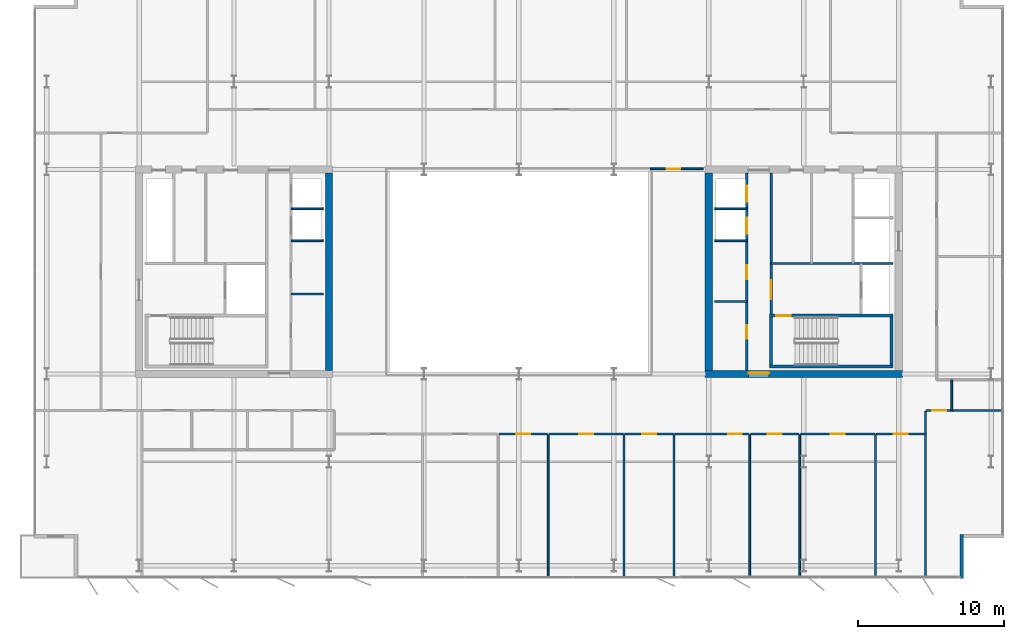
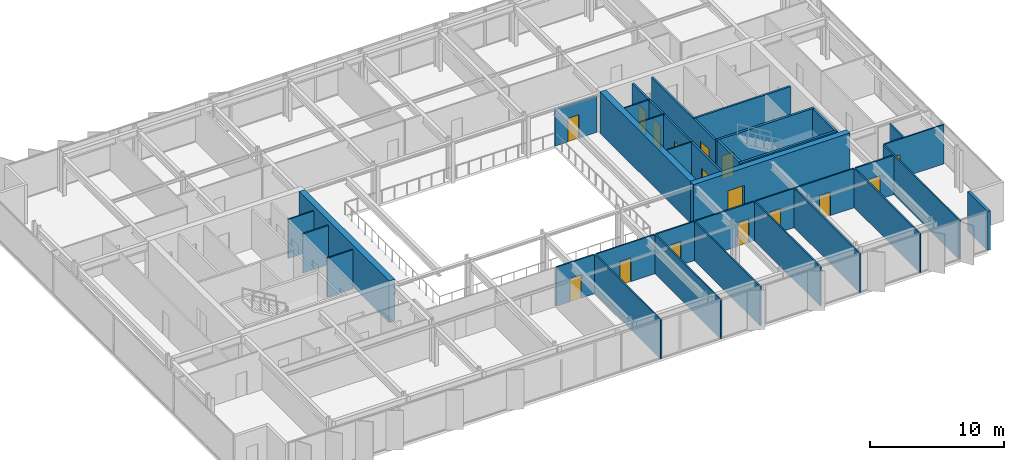
# One storey, part 18 of 24: 34 walls, 16 doors, 16 openings.
"""IFC4 building model written with IfcOpenShell, lengths in metres."""

import ifcopenshell
import ifcopenshell.guid

model = None  # the IFC model being written
_history = None  # IfcOwnerHistory: only IFC2X3 demands one
_inside = {}  # id of a spatial element -> (the spatial element, [elements in it])
_under = {}  # id of a project, library or spatial element -> (it, [spatial elements below it])
_declared = {}  # id of a project -> (the project, [libraries it declares])
_typed = {}  # id of a type object -> (the type object, [elements of that type])
_made_of = {}  # id of a material, layer set ... -> (it, [elements and type objects made of it])


def new_model(schema):
    """Start an empty IFC model of exactly this schema.

    Asked for "IFC4X3", IfcOpenShell would pick the latest addendum, in which some entities
    have other attributes; the version numbers below select the first issue.
    IFC2X3 requires an IfcOwnerHistory on every rooted entity: one is made here for all.
    """
    global model, _history
    if schema == "IFC4X3":
        model = ifcopenshell.file(schema_version=(4, 3, 0, 0))
    else:
        model = ifcopenshell.file(schema=schema)
    _inside.clear()
    _under.clear()
    _declared.clear()
    _typed.clear()
    _made_of.clear()
    _history = None
    if model.schema == "IFC2X3":
        org = make("IfcOrganization", Name="unknown")
        user = make(
            "IfcPersonAndOrganization",
            ThePerson=make("IfcPerson", FamilyName="unknown"),
            TheOrganization=org,
        )
        app = make(
            "IfcApplication",
            ApplicationDeveloper=org,
            Version="unknown",
            ApplicationFullName="unknown",
            ApplicationIdentifier="unknown",
        )
        _history = make(
            "IfcOwnerHistory",
            OwningUser=user,
            OwningApplication=app,
            ChangeAction="ADDED",
            CreationDate=0,
        )
    return model


def make(cls, **values):
    """One entity of the class cls with the attributes given. An attribute that is None is left unset."""
    return model.create_entity(
        cls, **{name: value for name, value in values.items() if value is not None}
    )


def rooted(cls, **values):
    """An entity with a GlobalId (a new one), such as an element, a storey or a relation."""
    return make(cls, GlobalId=ifcopenshell.guid.new(), OwnerHistory=_history, **values)


def si_unit(unit_type, name, prefix=None):
    """IfcSIUnit, for example si_unit("LENGTHUNIT", "METRE", prefix="MILLI")."""
    return make("IfcSIUnit", UnitType=unit_type, Prefix=prefix, Name=name)


def assignment(units):
    """IfcUnitAssignment: the units of a project."""
    return None if units is None else make("IfcUnitAssignment", Units=units)


def point(xyz):
    """IfcCartesianPoint."""
    return None if xyz is None else make("IfcCartesianPoint", Coordinates=xyz)


def direction(xyz):
    """IfcDirection."""
    return None if xyz is None else make("IfcDirection", DirectionRatios=xyz)


def frame(location, z_axis=None, x_axis=None):
    """IfcAxis2Placement3D, a coordinate frame: its origin and axes. An axis left out is left unset."""
    return make(
        "IfcAxis2Placement3D",
        Location=point(location),
        Axis=direction(z_axis),
        RefDirection=direction(x_axis),
    )


def frame_2d(location, x_axis=None):
    """IfcAxis2Placement2D, a coordinate frame in the plane: its origin and x axis."""
    return make(
        "IfcAxis2Placement2D", Location=point(location), RefDirection=direction(x_axis)
    )


def origin():
    """The frame at (0, 0, 0) with its axes left unset."""
    return frame((0.0, 0.0, 0.0))


def place(relative_to, where):
    """IfcLocalPlacement: puts the frame where relative to a parent placement (None: the world)."""
    return make(
        "IfcLocalPlacement", PlacementRelTo=relative_to, RelativePlacement=where
    )


def context(
    kind, dimensions, precision=None, world=None, true_north=None, identifier=None
):
    """IfcGeometricRepresentationContext, for example the 3D "Model" context."""
    return make(
        "IfcGeometricRepresentationContext",
        ContextIdentifier=identifier,
        ContextType=kind,
        CoordinateSpaceDimension=dimensions,
        Precision=precision,
        WorldCoordinateSystem=world,
        TrueNorth=true_north,
    )


def subcontext(parent, identifier, kind, view, scale=None):
    """IfcGeometricRepresentationSubContext, for example "Body" below "Model"."""
    return make(
        "IfcGeometricRepresentationSubContext",
        ContextIdentifier=identifier,
        ContextType=kind,
        ParentContext=parent,
        TargetScale=scale,
        TargetView=view,
    )


def project(units=None, contexts=None):
    """IfcProject with its units and contexts."""
    return rooted(
        "IfcProject",
        Name="project",
        RepresentationContexts=contexts,
        UnitsInContext=assignment(units),
    )


def spatial(cls, under=None, at=None, **own):
    """A site, building, storey or space (cls), placed at a placement, below another one or the project."""
    s = rooted(cls, ObjectPlacement=at, **own)
    if under is not None:
        _under.setdefault(under.id(), (under, []))[1].append(s)
    return s


def profile(cls, at=None, kind="AREA", **sizes):
    """A parametric profile (cls). Its sizes go by their IFC names, for example OverallWidth=200.0."""
    return make(cls, ProfileType=kind, Position=at, **sizes)


def rectangle(**sizes):
    """IfcRectangleProfileDef."""
    return profile("IfcRectangleProfileDef", **sizes)


def extrude(swept, where, along, depth):
    """IfcExtrudedAreaSolid: the profile swept, set in the frame where, extruded along a direction by depth."""
    return make(
        "IfcExtrudedAreaSolid",
        SweptArea=swept,
        Position=where,
        ExtrudedDirection=direction(along),
        Depth=depth,
    )


def shape(context_of_items, identifier, shape_type, items):
    """IfcShapeRepresentation: the items that make up one representation, for example the "Body"."""
    return make(
        "IfcShapeRepresentation",
        ContextOfItems=context_of_items,
        RepresentationIdentifier=identifier,
        RepresentationType=shape_type,
        Items=items,
    )


def material(Name=None, Category=None):
    """IfcMaterial."""
    return make("IfcMaterial", Name=Name, Category=Category)


def layer(
    of_material, thickness, ventilated=None, Name=None, Category=None, Priority=None
):
    """IfcMaterialLayer: one layer of a wall or slab, of a material (None: an air gap)."""
    return make(
        "IfcMaterialLayer",
        Material=of_material,
        LayerThickness=thickness,
        IsVentilated=ventilated,
        Name=Name,
        Category=Category,
        Priority=Priority,
    )


def layer_set(layers, Name=None):
    """IfcMaterialLayerSet."""
    return make("IfcMaterialLayerSet", MaterialLayers=layers, LayerSetName=Name)


def made_of(thing, what):
    """Note that an element or type object is made of a material, layer set ...; save() writes the relation."""
    if what is not None:
        _made_of.setdefault(what.id(), (what, []))[1].append(thing)
    return thing


def type_object(cls, material=None, **own):
    """A type object (cls), such as IfcWallType, which elements share."""
    return made_of(rooted(cls, **own), material)


def element(
    cls,
    number,
    at=None,
    inside=None,
    cuts=None,
    type_object=None,
    material=None,
    context=None,
    identifier="Body",
    shape_type=None,
    held_by="IfcProductDefinitionShape",
    body=None,
    shapes=None,
    **own,
):
    """One element of the class cls, such as IfcWall. Its Tag is "e" and its number.

    at: its placement. inside: the storey or other place that contains it. cuts: it is an
    opening in that element (IfcRelVoidsElement). A single representation is given by context,
    identifier, shape_type and body (its items); several are given by shapes. held_by: the class
    of the entity that holds the representations. save() writes the other relations.
    """
    e = rooted(cls, Tag="e%d" % number, ObjectPlacement=at, **own)
    if body is not None:
        shapes = [shape(context, identifier, shape_type, body)]
    if shapes is not None:
        e.Representation = make(held_by, Representations=shapes)
    if inside is not None:
        _inside.setdefault(inside.id(), (inside, []))[1].append(e)
    if cuts is not None:
        rooted(
            "IfcRelVoidsElement", RelatingBuildingElement=cuts, RelatedOpeningElement=e
        )
    if type_object is not None:
        _typed.setdefault(type_object.id(), (type_object, []))[1].append(e)
    return made_of(e, material)


def fill(opening, filler):
    """IfcRelFillsElement: the door or window that sits in an opening."""
    return rooted(
        "IfcRelFillsElement",
        RelatingOpeningElement=opening,
        RelatedBuildingElement=filler,
    )


def aggregate(whole, parts):
    """IfcRelAggregates: a whole, such as a stair, and the parts it consists of."""
    return rooted("IfcRelAggregates", RelatingObject=whole, RelatedObjects=parts)


def save(model, path):
    """Write the relations noted so far, then the file.

    IfcRelAggregates (storeys below a building ...), IfcRelContainedInSpatialStructure (elements
    in a storey), IfcRelDefinesByType, IfcRelAssociatesMaterial and IfcRelDeclares: one each for
    every whole, place, type object, material and project.
    """
    for whole, parts in _under.values():
        aggregate(whole, parts)
    for where, things in _inside.values():
        rooted(
            "IfcRelContainedInSpatialStructure",
            RelatedElements=things,
            RelatingStructure=where,
        )
    for kind, things in _typed.values():
        rooted("IfcRelDefinesByType", RelatedObjects=things, RelatingType=kind)
    for what, things in _made_of.values():
        rooted("IfcRelAssociatesMaterial", RelatedObjects=things, RelatingMaterial=what)
    for by, libraries in _declared.values():
        rooted("IfcRelDeclares", RelatingContext=by, RelatedDefinitions=libraries)
    model.write(path)


model = new_model("IFC4")

# Units and contexts
model_context = context("Model", 3, precision=1e-05, world=origin(), true_north=direction((0.0, 1.0)))
body_context = subcontext(model_context, "Body", "Model", "MODEL_VIEW")
ifc_project = project(units=[si_unit("LENGTHUNIT", "METRE"), si_unit("AREAUNIT", "SQUARE_METRE"), si_unit("VOLUMEUNIT", "CUBIC_METRE"), si_unit("PLANEANGLEUNIT", "RADIAN"), si_unit("MASSUNIT", "GRAM", prefix="KILO")], contexts=[model_context])

# Site, building, storey
site_placement = place(None, origin())
site = spatial("IfcSite", under=ifc_project, at=site_placement, CompositionType="ELEMENT")
building_placement = place(site_placement, origin())
building = spatial("IfcBuilding", under=site, at=building_placement, Name="Putna Gate Headquarters", CompositionType="ELEMENT")
storey_placement = place(building_placement, frame((0.0, 0.0, 236.60009765625)))
storey = spatial("IfcBuildingStorey", under=building, at=storey_placement, Name="L59", CompositionType="ELEMENT", Elevation=236.60009765625)

# Wall
ifc_material_1 = material(Name="Concrete C50/60", Category="concrete")
ifc_layer_1 = layer(ifc_material_1, 0.5)
ifc_layer_set_1 = layer_set([ifc_layer_1], Name="Concrete C50/60")
wall_type_1 = type_object("IfcWallType", Name="WALL-CORE-500", PredefinedType="SHEAR", material=ifc_layer_set_1)
wall_1_placement = place(storey_placement, frame((26.0, 19.25, 0.0), z_axis=(0.0, 0.0, 1.0), x_axis=(0.0, 1.0, 0.0)))
element("IfcWall", 1, at=wall_1_placement, inside=storey, type_object=wall_type_1, Name="L59 WC Split Core Shear Wall E", PredefinedType="SHEAR", context=body_context, shape_type="SweptSolid", body=[
    extrude(rectangle(XDim=13.5, YDim=0.5, at=frame_2d((6.75, 0.0))), origin(), (0.0, 0.0, 1.0), 3.7998046875),
])

# Wall, opening, door
wall_2_placement = place(storey_placement, frame((51.75, 19.0, 0.0), z_axis=(0.0, 0.0, 1.0), x_axis=(1.0, 0.0, 0.0)))
wall_2 = element("IfcWall", 2, at=wall_2_placement, inside=storey, type_object=wall_type_1, Name="L59 EC Split Core Shear Wall S", PredefinedType="SHEAR", context=body_context, shape_type="SweptSolid", body=[
    extrude(rectangle(XDim=13.5, YDim=0.5, at=frame_2d((6.75, 0.0))), origin(), (0.0, 0.0, 1.0), 3.7998046875),
])
opening_1_placement = place(wall_2_placement, frame((2.969970703125, 0.0, 0.0)))
opening_1 = element("IfcOpeningElement", 3, at=opening_1_placement, cuts=wall_2, Name="Opening FDD-140", PredefinedType="OPENING", context=body_context, shape_type="SweptSolid", body=[
    extrude(rectangle(XDim=1.39990234375, YDim=2.199951171875, at=frame_2d((0.699951171875, 1.10009765625))), frame((0.0, 0.260009765625, 0.0), z_axis=(0.0, -1.0, 0.0), x_axis=(1.0, 0.0, 0.0)), (0.0, 0.0, 1.0), 0.52001953125),
])
ifc_material_2 = material(Name="Double steel fire door", Category="steel")
door_type_1 = type_object("IfcDoorType", Name="DOOR-FIRE-DBL-1400", OperationType="DOUBLE_DOOR_SINGLE_SWING", PredefinedType="DOOR", material=ifc_material_2)
door_1_placement = place(opening_1_placement, origin())
door_1 = element("IfcDoor", 4, at=door_1_placement, inside=storey, type_object=door_type_1, Name="L59 East Lift Lobby South Door", OperationType="DOUBLE_DOOR_SINGLE_SWING", OverallHeight=2.199951171875, OverallWidth=1.39990234375, PredefinedType="DOOR", context=body_context, shape_type="SweptSolid", body=[
    extrude(rectangle(XDim=1.39990234375, YDim=2.199951171875, at=frame_2d((0.699951171875, 1.10009765625))), frame((0.0, 0.0751953125, 0.0), z_axis=(0.0, -1.0, 0.0), x_axis=(1.0, 0.0, 0.0)), (0.0, 0.0, 1.0), 0.050048828125),
])
fill(opening_1, door_1)

# Walls
wall_3_placement = place(storey_placement, frame((52.0, 19.25, 0.0), z_axis=(0.0, 0.0, 1.0), x_axis=(0.0, 1.0, 0.0)))
element("IfcWall", 5, at=wall_3_placement, inside=storey, type_object=wall_type_1, Name="L59 EC Split Core Shear Wall W", PredefinedType="SHEAR", context=body_context, shape_type="SweptSolid", body=[
    extrude(rectangle(XDim=13.5, YDim=0.5, at=frame_2d((6.75, 0.0))), origin(), (0.0, 0.0, 1.0), 3.7998046875),
])
ifc_material_3 = material(Name="Precast concrete C40/50", Category="concrete")
ifc_layer_2 = layer(ifc_material_3, 0.239990234375)
ifc_layer_set_2 = layer_set([ifc_layer_2], Name="Precast concrete C40/50")
wall_type_2 = type_object("IfcWallType", Name="WALL-EXT-TERR-240", PredefinedType="STANDARD", material=ifc_layer_set_2)
wall_4_placement = place(storey_placement, frame((69.320068359375, 8.0, 0.0), z_axis=(0.0, 0.0, 1.0), x_axis=(0.0, -1.0, 0.0)))
element("IfcWall", 6, at=wall_4_placement, inside=storey, type_object=wall_type_2, Name="L59 Corner Notch Return Wall SE-V", PredefinedType="STANDARD", context=body_context, shape_type="SweptSolid", body=[
    extrude(rectangle(XDim=3.0, YDim=0.239990234375, at=frame_2d((1.5, 0.0))), origin(), (0.0, 0.0, 1.0), 3.579833984375),
])

# Wall, opening, door
ifc_material_4 = material(Name="Acoustic gypsum board on metal stud")
ifc_layer_3 = layer(ifc_material_4, 0.1201171875)
ifc_layer_set_3 = layer_set([ifc_layer_3], Name="Acoustic gypsum board on metal stud")
wall_type_3 = type_object("IfcWallType", Name="WALL-PART-120", PredefinedType="PARTITIONING", material=ifc_layer_set_3)
wall_5_placement = place(storey_placement, frame((48.0, 33.0400390625, 0.0), z_axis=(0.0, 0.0, 1.0), x_axis=(1.0, 0.0, 0.0)))
wall_5 = element("IfcWall", 7, at=wall_5_placement, inside=storey, type_object=wall_type_3, Name="L59 Interior Wall PART-L59-ATR-E-N", PredefinedType="PARTITIONING", context=body_context, shape_type="SweptSolid", body=[
    extrude(rectangle(XDim=3.60009765625, YDim=0.1201171875, at=frame_2d((1.800048828125, 0.0))), origin(), (0.0, 0.0, 1.0), 3.31982421875),
])
opening_2_placement = place(wall_5_placement, frame((1.10009765625, 0.0, 0.0)))
opening_2 = element("IfcOpeningElement", 8, at=opening_2_placement, cuts=wall_5, Name="Opening ID-95", PredefinedType="OPENING", context=body_context, shape_type="SweptSolid", body=[
    extrude(rectangle(XDim=0.949951171875, YDim=2.14990234375, at=frame_2d((0.47509765625, 1.074951171875))), frame((0.0, 0.070068359375, 0.0), z_axis=(0.0, -1.0, 0.0), x_axis=(1.0, 0.0, 0.0)), (0.0, 0.0, 1.0), 0.14013671875),
])
ifc_material_5 = material(Name="Veneered acoustic timber door", Category="wood")
door_type_2 = type_object("IfcDoorType", Name="DOOR-OFF-950", OperationType="NOTDEFINED", PredefinedType="DOOR", material=ifc_material_5)
door_2_placement = place(opening_2_placement, origin())
door_2 = element("IfcDoor", 9, at=door_2_placement, inside=storey, type_object=door_type_2, Name="L59 East Sky Atrium Lounge Door", OperationType="SINGLE_SWING_LEFT", OverallHeight=2.14990234375, OverallWidth=0.949951171875, PredefinedType="DOOR", context=body_context, shape_type="SweptSolid", body=[
    extrude(rectangle(XDim=0.949951171875, YDim=2.14990234375, at=frame_2d((0.47509765625, 1.074951171875))), frame((0.0, 0.02490234375, 0.0), z_axis=(0.0, -1.0, 0.0), x_axis=(1.0, 0.0, 0.0)), (0.0, 0.0, 1.0), 0.050048828125),
])
fill(opening_2, door_2)

# Walls
for number, where, z_axis, x_axis, name in (
    (10, (41.007568359375, 5.02001953125, 0.0), (0.0, 0.0, 1.0), (0.0, 1.0, 0.0), "L59 Interior Wall PART-L59-SB-DIV-04"),
    (11, (46.197509765625, 5.02001953125, 0.0), (0.0, 0.0, 1.0), (0.0, 1.0, 0.0), "L59 Interior Wall PART-L59-SB-DIV-05"),
    (12, (49.614990234375, 5.02001953125, 0.0), (0.0, 0.0, 1.0), (0.0, 1.0, 0.0), "L59 Interior Wall PART-L59-SB-DIV-06"),
    (13, (54.804931640625, 5.02001953125, 0.0), (0.0, 0.0, 1.0), (0.0, 1.0, 0.0), "L59 Interior Wall PART-L59-SB-DIV-07"),
    (14, (58.22265625, 5.02001953125, 0.0), (0.0, 0.0, 1.0), (0.0, 1.0, 0.0), "L59 Interior Wall PART-L59-SB-DIV-08"),
    (15, (63.41259765625, 5.02001953125, 0.0), (0.0, 0.0, 1.0), (0.0, 1.0, 0.0), "L59 Interior Wall PART-L59-SB-DIV-09"),
):
    element("IfcWall", number, at=place(storey_placement, frame(where, z_axis=z_axis, x_axis=x_axis)), inside=storey, type_object=wall_type_3, Name=name, PredefinedType="PARTITIONING", context=body_context, shape_type="SweptSolid", body=[
        extrude(rectangle(XDim=9.820068359375, YDim=0.1201171875, at=frame_2d((4.91015625, 0.0))), origin(), (0.0, 0.0, 1.0), 3.579833984375),
    ])
wall_6_placement = place(storey_placement, frame((66.830078125, 5.02001953125, 0.0), z_axis=(0.0, 0.0, 1.0), x_axis=(0.0, 1.0, 0.0)))
element("IfcWall", 16, at=wall_6_placement, inside=storey, type_object=wall_type_3, Name="L59 Interior Wall PART-L59-SB-DIV-10", PredefinedType="PARTITIONING", context=body_context, shape_type="SweptSolid", body=[
    extrude(rectangle(XDim=11.419921875, YDim=0.1201171875, at=frame_2d((5.7099609375, 0.0))), origin(), (0.0, 0.0, 1.0), 3.579833984375),
])
ifc_material_6 = material(Name="Fire-rated shaftwall gypsum board on metal stud")
ifc_layer_4 = layer(ifc_material_6, 0.1201171875)
ifc_layer_set_4 = layer_set([ifc_layer_4], Name="Fire-rated shaftwall gypsum board on metal stud")
wall_type_4 = type_object("IfcWallType", Name="WALL-PART-120-EI120", PredefinedType="PARTITIONING", material=ifc_layer_set_4)
for number, where, z_axis, x_axis, name in (
    (17, (23.39990234375, 30.31005859375, 0.0), (0.0, 0.0, 1.0), (1.0, 0.0, 0.0), "L59 Interior Wall CWINT-L59-WC-LF09-DIV"),
    (18, (52.39990234375, 30.31005859375, 0.0), (0.0, 0.0, 1.0), (1.0, 0.0, 0.0), "L59 Interior Wall CWINT-L59-EC-LF11-DIV"),
):
    element("IfcWall", number, at=place(storey_placement, frame(where, z_axis=z_axis, x_axis=x_axis)), inside=storey, type_object=wall_type_4, Name=name, PredefinedType="PARTITIONING", context=body_context, shape_type="SweptSolid", body=[
        extrude(rectangle(XDim=2.2001953125, YDim=0.1201171875, at=frame_2d((1.10009765625, 0.0))), origin(), (0.0, 0.0, 1.0), 3.579833984375),
    ])
ifc_material_7 = material(Name="Fire-rated gypsum board on metal stud")
ifc_layer_5 = layer(ifc_material_7, 0.1201171875)
ifc_layer_set_5 = layer_set([ifc_layer_5], Name="Fire-rated gypsum board on metal stud")
wall_type_5 = type_object("IfcWallType", Name="WALL-PART-120-RATED", PredefinedType="PARTITIONING", material=ifc_layer_set_5)
for number, where, z_axis, x_axis, name in (
    (19, (23.39990234375, 24.469970703125, 0.0), (0.0, 0.0, 1.0), (1.0, 0.0, 0.0), "L59 Interior Wall CWINT-L59-WC-REUSE-DIV"),
    (20, (23.39990234375, 28.1201171875, 0.0), (0.0, 0.0, 1.0), (1.0, 0.0, 0.0), "L59 Interior Wall CWINT-L59-WC-LF06-DIV"),
    (21, (52.39990234375, 23.969970703125, 0.0), (0.0, 0.0, 1.0), (1.0, 0.0, 0.0), "L59 Interior Wall CWINT-L59-EC-REUSE-DIV"),
    (22, (52.39990234375, 28.1201171875, 0.0), (0.0, 0.0, 1.0), (1.0, 0.0, 0.0), "L59 Interior Wall CWINT-L59-EC-LF08-DIV"),
):
    element("IfcWall", number, at=place(storey_placement, frame(where, z_axis=z_axis, x_axis=x_axis)), inside=storey, type_object=wall_type_5, Name=name, PredefinedType="PARTITIONING", context=body_context, shape_type="SweptSolid", body=[
        extrude(rectangle(XDim=2.2001953125, YDim=0.1201171875, at=frame_2d((1.10009765625, 0.0))), origin(), (0.0, 0.0, 1.0), 3.579833984375),
    ])
wall_7_placement = place(storey_placement, frame((68.630126953125, 16.5, 0.0), z_axis=(0.0, 0.0, 1.0), x_axis=(0.0, 1.0, 0.0)))
element("IfcWall", 23, at=wall_7_placement, inside=storey, type_object=wall_type_5, Name="L59 Interior Wall PART-L59-CORRS-CAPE", PredefinedType="PARTITIONING", context=body_context, shape_type="SweptSolid", body=[
    extrude(rectangle(XDim=2.10009765625, YDim=0.1201171875, at=frame_2d((1.050048828125, 0.0))), origin(), (0.0, 0.0, 1.0), 3.579833984375),
])

# Wall, opening, door
wall_8_placement = place(storey_placement, frame((37.64990234375, 14.89990234375, 0.0), z_axis=(0.0, 0.0, 1.0), x_axis=(1.0, 0.0, 0.0)))
wall_8 = element("IfcWall", 24, at=wall_8_placement, inside=storey, type_object=wall_type_5, Name="L59 Interior Wall PART-L59-SB-CW-04", PredefinedType="PARTITIONING", context=body_context, shape_type="SweptSolid", body=[
    extrude(rectangle(XDim=3.297607421875, YDim=0.1201171875, at=frame_2d((1.64892578125, 0.0))), origin(), (0.0, 0.0, 1.0), 3.579833984375),
])
opening_3_placement = place(wall_8_placement, frame((1.173828125, 0.0, 0.0)))
opening_3 = element("IfcOpeningElement", 25, at=opening_3_placement, cuts=wall_8, Name="Opening FD-95", PredefinedType="OPENING", context=body_context, shape_type="SweptSolid", body=[
    extrude(rectangle(XDim=0.949951171875, YDim=2.14990234375, at=frame_2d((0.47509765625, 1.074951171875))), frame((0.0, 0.070068359375, 0.0), z_axis=(0.0, -1.0, 0.0), x_axis=(1.0, 0.0, 0.0)), (0.0, 0.0, 1.0), 0.14013671875),
])
ifc_material_8 = material(Name="Acoustic timber fire door", Category="wood")
door_type_3 = type_object("IfcDoorType", Name="DOOR-FIRE-950", OperationType="NOTDEFINED", PredefinedType="DOOR", material=ifc_material_8)
door_3_placement = place(opening_3_placement, origin())
door_3 = element("IfcDoor", 26, at=door_3_placement, inside=storey, type_object=door_type_3, Name="L59 Quiet Wellness Focus Studio 2 Door", OperationType="SINGLE_SWING_LEFT", OverallHeight=2.14990234375, OverallWidth=0.949951171875, PredefinedType="DOOR", context=body_context, shape_type="SweptSolid", body=[
    extrude(rectangle(XDim=0.949951171875, YDim=2.14990234375, at=frame_2d((0.47509765625, 1.074951171875))), frame((0.0, 0.02490234375, 0.0), z_axis=(0.0, -1.0, 0.0), x_axis=(1.0, 0.0, 0.0)), (0.0, 0.0, 1.0), 0.050048828125),
])
fill(opening_3, door_3)

wall_9_placement = place(storey_placement, frame((41.0673828125, 14.89990234375, 0.0), z_axis=(0.0, 0.0, 1.0), x_axis=(1.0, 0.0, 0.0)))
wall_9 = element("IfcWall", 27, at=wall_9_placement, inside=storey, type_object=wall_type_5, Name="L59 Interior Wall PART-L59-SB-CW-05", PredefinedType="PARTITIONING", context=body_context, shape_type="SweptSolid", body=[
    extrude(rectangle(XDim=5.070068359375, YDim=0.1201171875, at=frame_2d((2.53515625, 0.0))), origin(), (0.0, 0.0, 1.0), 3.579833984375),
])
opening_4_placement = place(wall_9_placement, frame((2.06005859375, 0.0, 0.0)))
opening_4 = element("IfcOpeningElement", 28, at=opening_4_placement, cuts=wall_9, Name="Opening FD-95", PredefinedType="OPENING", context=body_context, shape_type="SweptSolid", body=[
    extrude(rectangle(XDim=0.949951171875, YDim=2.14990234375, at=frame_2d((0.47509765625, 1.074951171875))), frame((0.0, 0.070068359375, 0.0), z_axis=(0.0, -1.0, 0.0), x_axis=(1.0, 0.0, 0.0)), (0.0, 0.0, 1.0), 0.14013671875),
])
door_4_placement = place(opening_4_placement, origin())
door_4 = element("IfcDoor", 29, at=door_4_placement, inside=storey, type_object=door_type_3, Name="L59 Cellular Office 1 Door", OperationType="SINGLE_SWING_RIGHT", OverallHeight=2.14990234375, OverallWidth=0.949951171875, PredefinedType="DOOR", context=body_context, shape_type="SweptSolid", body=[
    extrude(rectangle(XDim=0.949951171875, YDim=2.14990234375, at=frame_2d((0.47509765625, 1.074951171875))), frame((0.0, 0.02490234375, 0.0), z_axis=(0.0, -1.0, 0.0), x_axis=(1.0, 0.0, 0.0)), (0.0, 0.0, 1.0), 0.050048828125),
])
fill(opening_4, door_4)

wall_10_placement = place(storey_placement, frame((46.25732421875, 14.89990234375, 0.0), z_axis=(0.0, 0.0, 1.0), x_axis=(1.0, 0.0, 0.0)))
wall_10 = element("IfcWall", 30, at=wall_10_placement, inside=storey, type_object=wall_type_5, Name="L59 Interior Wall PART-L59-SB-CW-06", PredefinedType="PARTITIONING", context=body_context, shape_type="SweptSolid", body=[
    extrude(rectangle(XDim=3.2978515625, YDim=0.1201171875, at=frame_2d((1.64892578125, 0.0))), origin(), (0.0, 0.0, 1.0), 3.579833984375),
])
opening_5_placement = place(wall_10_placement, frame((1.173828125, 0.0, 0.0)))
opening_5 = element("IfcOpeningElement", 31, at=opening_5_placement, cuts=wall_10, Name="Opening FD-95", PredefinedType="OPENING", context=body_context, shape_type="SweptSolid", body=[
    extrude(rectangle(XDim=0.949951171875, YDim=2.14990234375, at=frame_2d((0.47509765625, 1.074951171875))), frame((0.0, 0.070068359375, 0.0), z_axis=(0.0, -1.0, 0.0), x_axis=(1.0, 0.0, 0.0)), (0.0, 0.0, 1.0), 0.14013671875),
])
door_5_placement = place(opening_5_placement, origin())
door_5 = element("IfcDoor", 32, at=door_5_placement, inside=storey, type_object=door_type_3, Name="L59 Cellular Office 2 Door", OperationType="SINGLE_SWING_LEFT", OverallHeight=2.14990234375, OverallWidth=0.949951171875, PredefinedType="DOOR", context=body_context, shape_type="SweptSolid", body=[
    extrude(rectangle(XDim=0.949951171875, YDim=2.14990234375, at=frame_2d((0.47509765625, 1.074951171875))), frame((0.0, 0.02490234375, 0.0), z_axis=(0.0, -1.0, 0.0), x_axis=(1.0, 0.0, 0.0)), (0.0, 0.0, 1.0), 0.050048828125),
])
fill(opening_5, door_5)

wall_11_placement = place(storey_placement, frame((49.675048828125, 14.89990234375, 0.0), z_axis=(0.0, 0.0, 1.0), x_axis=(1.0, 0.0, 0.0)))
wall_11 = element("IfcWall", 33, at=wall_11_placement, inside=storey, type_object=wall_type_5, Name="L59 Interior Wall PART-L59-SB-CW-07", PredefinedType="PARTITIONING", context=body_context, shape_type="SweptSolid", body=[
    extrude(rectangle(XDim=5.06982421875, YDim=0.1201171875, at=frame_2d((2.534912109375, 0.0))), origin(), (0.0, 0.0, 1.0), 3.579833984375),
])
opening_6_placement = place(wall_11_placement, frame((3.639892578125, 0.0, 0.0)))
opening_6 = element("IfcOpeningElement", 34, at=opening_6_placement, cuts=wall_11, Name="Opening FD-95", PredefinedType="OPENING", context=body_context, shape_type="SweptSolid", body=[
    extrude(rectangle(XDim=0.949951171875, YDim=2.14990234375, at=frame_2d((0.47509765625, 1.074951171875))), frame((0.0, 0.070068359375, 0.0), z_axis=(0.0, -1.0, 0.0), x_axis=(1.0, 0.0, 0.0)), (0.0, 0.0, 1.0), 0.14013671875),
])
door_6_placement = place(opening_6_placement, origin())
door_6 = element("IfcDoor", 35, at=door_6_placement, inside=storey, type_object=door_type_3, Name="L59 Cellular Office 3 Door", OperationType="SINGLE_SWING_RIGHT", OverallHeight=2.14990234375, OverallWidth=0.949951171875, PredefinedType="DOOR", context=body_context, shape_type="SweptSolid", body=[
    extrude(rectangle(XDim=0.949951171875, YDim=2.14990234375, at=frame_2d((0.47509765625, 1.074951171875))), frame((0.0, 0.02490234375, 0.0), z_axis=(0.0, -1.0, 0.0), x_axis=(1.0, 0.0, 0.0)), (0.0, 0.0, 1.0), 0.050048828125),
])
fill(opening_6, door_6)

wall_12_placement = place(storey_placement, frame((54.864990234375, 14.89990234375, 0.0), z_axis=(0.0, 0.0, 1.0), x_axis=(1.0, 0.0, 0.0)))
wall_12 = element("IfcWall", 36, at=wall_12_placement, inside=storey, type_object=wall_type_5, Name="L59 Interior Wall PART-L59-SB-CW-08", PredefinedType="PARTITIONING", context=body_context, shape_type="SweptSolid", body=[
    extrude(rectangle(XDim=3.297607421875, YDim=0.1201171875, at=frame_2d((1.64892578125, 0.0))), origin(), (0.0, 0.0, 1.0), 3.579833984375),
])
opening_7_placement = place(wall_12_placement, frame((1.173828125, 0.0, 0.0)))
opening_7 = element("IfcOpeningElement", 37, at=opening_7_placement, cuts=wall_12, Name="Opening FD-95", PredefinedType="OPENING", context=body_context, shape_type="SweptSolid", body=[
    extrude(rectangle(XDim=0.949951171875, YDim=2.14990234375, at=frame_2d((0.47509765625, 1.074951171875))), frame((0.0, 0.070068359375, 0.0), z_axis=(0.0, -1.0, 0.0), x_axis=(1.0, 0.0, 0.0)), (0.0, 0.0, 1.0), 0.14013671875),
])
door_7_placement = place(opening_7_placement, origin())
door_7 = element("IfcDoor", 38, at=door_7_placement, inside=storey, type_object=door_type_3, Name="L59 Cellular Office 4 Door", OperationType="SINGLE_SWING_LEFT", OverallHeight=2.14990234375, OverallWidth=0.949951171875, PredefinedType="DOOR", context=body_context, shape_type="SweptSolid", body=[
    extrude(rectangle(XDim=0.949951171875, YDim=2.14990234375, at=frame_2d((0.47509765625, 1.074951171875))), frame((0.0, 0.02490234375, 0.0), z_axis=(0.0, -1.0, 0.0), x_axis=(1.0, 0.0, 0.0)), (0.0, 0.0, 1.0), 0.050048828125),
])
fill(opening_7, door_7)

wall_13_placement = place(storey_placement, frame((58.28271484375, 14.89990234375, 0.0), z_axis=(0.0, 0.0, 1.0), x_axis=(1.0, 0.0, 0.0)))
wall_13 = element("IfcWall", 39, at=wall_13_placement, inside=storey, type_object=wall_type_5, Name="L59 Interior Wall PART-L59-SB-CW-09", PredefinedType="PARTITIONING", context=body_context, shape_type="SweptSolid", body=[
    extrude(rectangle(XDim=5.06982421875, YDim=0.1201171875, at=frame_2d((2.534912109375, 0.0))), origin(), (0.0, 0.0, 1.0), 3.579833984375),
])
opening_8_placement = place(wall_13_placement, frame((2.059814453125, 0.0, 0.0)))
opening_8 = element("IfcOpeningElement", 40, at=opening_8_placement, cuts=wall_13, Name="Opening FD-95", PredefinedType="OPENING", context=body_context, shape_type="SweptSolid", body=[
    extrude(rectangle(XDim=0.949951171875, YDim=2.14990234375, at=frame_2d((0.47509765625, 1.074951171875))), frame((0.0, 0.070068359375, 0.0), z_axis=(0.0, -1.0, 0.0), x_axis=(1.0, 0.0, 0.0)), (0.0, 0.0, 1.0), 0.14013671875),
])
door_8_placement = place(opening_8_placement, origin())
door_8 = element("IfcDoor", 41, at=door_8_placement, inside=storey, type_object=door_type_3, Name="L59 Cellular Office 5 Door", OperationType="SINGLE_SWING_RIGHT", OverallHeight=2.14990234375, OverallWidth=0.949951171875, PredefinedType="DOOR", context=body_context, shape_type="SweptSolid", body=[
    extrude(rectangle(XDim=0.949951171875, YDim=2.14990234375, at=frame_2d((0.47509765625, 1.074951171875))), frame((0.0, 0.02490234375, 0.0), z_axis=(0.0, -1.0, 0.0), x_axis=(1.0, 0.0, 0.0)), (0.0, 0.0, 1.0), 0.050048828125),
])
fill(opening_8, door_8)

wall_14_placement = place(storey_placement, frame((63.472412109375, 14.89990234375, 0.0), z_axis=(0.0, 0.0, 1.0), x_axis=(1.0, 0.0, 0.0)))
wall_14 = element("IfcWall", 42, at=wall_14_placement, inside=storey, type_object=wall_type_5, Name="L59 Interior Wall PART-L59-SB-CW-10", PredefinedType="PARTITIONING", context=body_context, shape_type="SweptSolid", body=[
    extrude(rectangle(XDim=3.2978515625, YDim=0.1201171875, at=frame_2d((1.64892578125, 0.0))), origin(), (0.0, 0.0, 1.0), 3.579833984375),
])
opening_9_placement = place(wall_14_placement, frame((1.173828125, 0.0, 0.0)))
opening_9 = element("IfcOpeningElement", 43, at=opening_9_placement, cuts=wall_14, Name="Opening FD-95", PredefinedType="OPENING", context=body_context, shape_type="SweptSolid", body=[
    extrude(rectangle(XDim=0.949951171875, YDim=2.14990234375, at=frame_2d((0.47509765625, 1.074951171875))), frame((0.0, 0.070068359375, 0.0), z_axis=(0.0, -1.0, 0.0), x_axis=(1.0, 0.0, 0.0)), (0.0, 0.0, 1.0), 0.14013671875),
])
door_9_placement = place(opening_9_placement, origin())
door_9 = element("IfcDoor", 44, at=door_9_placement, inside=storey, type_object=door_type_3, Name="L59 Cellular Office 6 Door", OperationType="SINGLE_SWING_LEFT", OverallHeight=2.14990234375, OverallWidth=0.949951171875, PredefinedType="DOOR", context=body_context, shape_type="SweptSolid", body=[
    extrude(rectangle(XDim=0.949951171875, YDim=2.14990234375, at=frame_2d((0.47509765625, 1.074951171875))), frame((0.0, 0.02490234375, 0.0), z_axis=(0.0, -1.0, 0.0), x_axis=(1.0, 0.0, 0.0)), (0.0, 0.0, 1.0), 0.050048828125),
])
fill(opening_9, door_9)

wall_15_placement = place(storey_placement, frame((66.89013671875, 16.5, 0.0), z_axis=(0.0, 0.0, 1.0), x_axis=(1.0, 0.0, 0.0)))
wall_15 = element("IfcWall", 45, at=wall_15_placement, inside=storey, type_object=wall_type_5, Name="L59 Interior Wall PART-L59-SB-CW-11", PredefinedType="PARTITIONING", context=body_context, shape_type="SweptSolid", body=[
    extrude(rectangle(XDim=5.1298828125, YDim=0.1201171875, at=frame_2d((2.56494140625, 0.0))), origin(), (0.0, 0.0, 1.0), 3.579833984375),
])
opening_10_placement = place(wall_15_placement, frame((0.39501953125, 0.0, 0.0)))
opening_10 = element("IfcOpeningElement", 46, at=opening_10_placement, cuts=wall_15, Name="Opening FD-95", PredefinedType="OPENING", context=body_context, shape_type="SweptSolid", body=[
    extrude(rectangle(XDim=0.949951171875, YDim=2.14990234375, at=frame_2d((0.47509765625, 1.074951171875))), frame((0.0, 0.070068359375, 0.0), z_axis=(0.0, -1.0, 0.0), x_axis=(1.0, 0.0, 0.0)), (0.0, 0.0, 1.0), 0.14013671875),
])
door_10_placement = place(opening_10_placement, origin())
door_10 = element("IfcDoor", 47, at=door_10_placement, inside=storey, type_object=door_type_3, Name="L59 Conference Meeting Room 3 Door", OperationType="SINGLE_SWING_RIGHT", OverallHeight=2.14990234375, OverallWidth=0.949951171875, PredefinedType="DOOR", context=body_context, shape_type="SweptSolid", body=[
    extrude(rectangle(XDim=0.949951171875, YDim=2.14990234375, at=frame_2d((0.47509765625, 1.074951171875))), frame((0.0, 0.02490234375, 0.0), z_axis=(0.0, -1.0, 0.0), x_axis=(1.0, 0.0, 0.0)), (0.0, 0.0, 1.0), 0.050048828125),
])
fill(opening_10, door_10)

# Wall, openings, doors
ifc_material_9 = material(Name="Concrete C40/50", Category="concrete")
ifc_layer_6 = layer(ifc_material_9, 0.159912109375)
ifc_layer_set_6 = layer_set([ifc_layer_6], Name="Concrete C40/50")
wall_type_6 = type_object("IfcWallType", Name="WALL-SHAFT-160", PredefinedType="STANDARD", material=ifc_layer_set_6)
wall_16_placement = place(storey_placement, frame((54.60009765625, 19.25, 0.0), z_axis=(0.0, 0.0, 1.0), x_axis=(0.0, 1.0, 0.0)))
wall_16 = element("IfcWall", 48, at=wall_16_placement, inside=storey, type_object=wall_type_6, Name="L59 Interior Wall CWINT-L59-EC-PL-WALL", PredefinedType="STANDARD", context=body_context, shape_type="SweptSolid", body=[
    extrude(rectangle(XDim=13.5, YDim=0.159912109375, at=frame_2d((6.75, 0.0))), origin(), (0.0, 0.0, 1.0), 3.579833984375),
])
opening_11_placement = place(wall_16_placement, frame((2.14990234375, 0.0, 0.0)))
opening_11 = element("IfcOpeningElement", 49, at=opening_11_placement, cuts=wall_16, Name="Opening IDS-95", PredefinedType="OPENING", context=body_context, shape_type="SweptSolid", body=[
    extrude(rectangle(XDim=0.949951171875, YDim=2.14990234375, at=frame_2d((0.47509765625, 1.074951171875))), frame((0.0, 0.08984375, 0.0), z_axis=(0.0, -1.0, 0.0), x_axis=(1.0, 0.0, 0.0)), (0.0, 0.0, 1.0), 0.179931640625),
])
opening_12_placement = place(wall_16_placement, frame((6.25, 0.0, 0.0)))
opening_12 = element("IfcOpeningElement", 50, at=opening_12_placement, cuts=wall_16, Name="Opening IDS-95", PredefinedType="OPENING", context=body_context, shape_type="SweptSolid", body=[
    extrude(rectangle(XDim=0.949951171875, YDim=2.14990234375, at=frame_2d((0.47509765625, 1.074951171875))), frame((0.0, 0.08984375, 0.0), z_axis=(0.0, -1.0, 0.0), x_axis=(1.0, 0.0, 0.0)), (0.0, 0.0, 1.0), 0.179931640625),
])
opening_13_placement = place(wall_16_placement, frame((9.35009765625, 0.0, 0.0)))
opening_13 = element("IfcOpeningElement", 51, at=opening_13_placement, cuts=wall_16, Name="Opening LD-1", PredefinedType="OPENING", context=body_context, shape_type="SweptSolid", body=[
    extrude(rectangle(XDim=1.10009765625, YDim=2.199951171875, at=frame_2d((0.550048828125, 1.10009765625))), frame((0.0, 0.08984375, 0.0), z_axis=(0.0, -1.0, 0.0), x_axis=(1.0, 0.0, 0.0)), (0.0, 0.0, 1.0), 0.179931640625),
])
opening_14_placement = place(wall_16_placement, frame((11.550048828125, 0.0, 0.0)))
opening_14 = element("IfcOpeningElement", 52, at=opening_14_placement, cuts=wall_16, Name="Opening LD-1", PredefinedType="OPENING", context=body_context, shape_type="SweptSolid", body=[
    extrude(rectangle(XDim=1.10009765625, YDim=2.199951171875, at=frame_2d((0.550048828125, 1.10009765625))), frame((0.0, 0.08984375, 0.0), z_axis=(0.0, -1.0, 0.0), x_axis=(1.0, 0.0, 0.0)), (0.0, 0.0, 1.0), 0.179931640625),
])
ifc_material_10 = material(Name="Fire-rated service timber door", Category="wood")
door_type_4 = type_object("IfcDoorType", Name="DOOR-INT-950", OperationType="NOTDEFINED", PredefinedType="DOOR", material=ifc_material_10)
door_11_placement = place(opening_11_placement, origin())
door_11 = element("IfcDoor", 53, at=door_11_placement, inside=storey, type_object=door_type_4, Name="L59 Executive Archive Door", OperationType="SINGLE_SWING_RIGHT", OverallHeight=2.14990234375, OverallWidth=0.949951171875, PredefinedType="DOOR", context=body_context, shape_type="SweptSolid", body=[
    extrude(rectangle(XDim=0.949951171875, YDim=2.14990234375, at=frame_2d((0.47509765625, 1.074951171875))), frame((0.0, 0.02490234375, 0.0), z_axis=(0.0, -1.0, 0.0), x_axis=(1.0, 0.0, 0.0)), (0.0, 0.0, 1.0), 0.050048828125),
])
fill(opening_11, door_11)
door_12_placement = place(opening_12_placement, origin())
door_12 = element("IfcDoor", 54, at=door_12_placement, inside=storey, type_object=door_type_4, Name="L59 Comms Distribution Door", OperationType="SINGLE_SWING_LEFT", OverallHeight=2.14990234375, OverallWidth=0.949951171875, PredefinedType="DOOR", context=body_context, shape_type="SweptSolid", body=[
    extrude(rectangle(XDim=0.949951171875, YDim=2.14990234375, at=frame_2d((0.47509765625, 1.074951171875))), frame((0.0, 0.02490234375, 0.0), z_axis=(0.0, -1.0, 0.0), x_axis=(1.0, 0.0, 0.0)), (0.0, 0.0, 1.0), 0.050048828125),
])
fill(opening_12, door_12)
ifc_material_11 = material(Name="Brushed bronze stainless lift landing door")
door_type_5 = type_object("IfcDoorType", Name="DOOR-LIFT-1100", OperationType="DOUBLE_DOOR_SLIDING", PredefinedType="DOOR", material=ifc_material_11)
door_13_placement = place(opening_13_placement, origin())
door_13 = element("IfcDoor", 55, at=door_13_placement, inside=storey, type_object=door_type_5, Name="L59 Lift Landing Door LD-11", OperationType="DOUBLE_DOOR_SLIDING", OverallHeight=2.199951171875, OverallWidth=1.10009765625, PredefinedType="DOOR", context=body_context, shape_type="SweptSolid", body=[
    extrude(rectangle(XDim=1.10009765625, YDim=2.199951171875, at=frame_2d((0.550048828125, 1.10009765625))), frame((0.0, 0.02490234375, 0.0), z_axis=(0.0, -1.0, 0.0), x_axis=(1.0, 0.0, 0.0)), (0.0, 0.0, 1.0), 0.050048828125),
])
fill(opening_13, door_13)
door_14_placement = place(opening_14_placement, origin())
door_14 = element("IfcDoor", 56, at=door_14_placement, inside=storey, type_object=door_type_5, Name="L59 Lift Landing Door LD-12", OperationType="DOUBLE_DOOR_SLIDING", OverallHeight=2.199951171875, OverallWidth=1.10009765625, PredefinedType="DOOR", context=body_context, shape_type="SweptSolid", body=[
    extrude(rectangle(XDim=1.10009765625, YDim=2.199951171875, at=frame_2d((0.550048828125, 1.10009765625))), frame((0.0, 0.02490234375, 0.0), z_axis=(0.0, -1.0, 0.0), x_axis=(1.0, 0.0, 0.0)), (0.0, 0.0, 1.0), 0.050048828125),
])
fill(opening_14, door_14)

# Wall, opening, door
wall_17_placement = place(storey_placement, frame((56.260009765625, 23.090087890625, 0.0), z_axis=(0.0, 0.0, 1.0), x_axis=(0.0, 1.0, 0.0)))
wall_17 = element("IfcWall", 57, at=wall_17_placement, inside=storey, type_object=wall_type_6, Name="L59 Interior Wall CWINT-L59-EC-LOB-E", PredefinedType="STANDARD", context=body_context, shape_type="SweptSolid", body=[
    extrude(rectangle(XDim=9.659912109375, YDim=0.159912109375, at=frame_2d((4.830078125, 0.0))), origin(), (0.0, 0.0, 1.0), 3.579833984375),
])
opening_15_placement = place(wall_17_placement, frame((1.010009765625, 0.0, 0.0)))
opening_15 = element("IfcOpeningElement", 58, at=opening_15_placement, cuts=wall_17, Name="Opening FDD-130", PredefinedType="OPENING", context=body_context, shape_type="SweptSolid", body=[
    extrude(rectangle(XDim=1.300048828125, YDim=2.199951171875, at=frame_2d((0.64990234375, 1.10009765625))), frame((0.0, 0.08984375, 0.0), z_axis=(0.0, -1.0, 0.0), x_axis=(1.0, 0.0, 0.0)), (0.0, 0.0, 1.0), 0.179931640625),
])
ifc_material_12 = material(Name="Double steel lobby fire door", Category="steel")
door_type_6 = type_object("IfcDoorType", Name="DOOR-FIRE-DBL-1300", OperationType="DOUBLE_DOOR_SINGLE_SWING", PredefinedType="DOOR", material=ifc_material_12)
door_15_placement = place(opening_15_placement, origin())
door_15 = element("IfcDoor", 59, at=door_15_placement, inside=storey, type_object=door_type_6, Name="L59 East Firefighting Lobby Door", OperationType="DOUBLE_DOOR_SINGLE_SWING", OverallHeight=2.199951171875, OverallWidth=1.300048828125, PredefinedType="DOOR", context=body_context, shape_type="SweptSolid", body=[
    extrude(rectangle(XDim=1.300048828125, YDim=2.199951171875, at=frame_2d((0.64990234375, 1.10009765625))), frame((0.0, 0.02490234375, 0.0), z_axis=(0.0, -1.0, 0.0), x_axis=(1.0, 0.0, 0.0)), (0.0, 0.0, 1.0), 0.050048828125),
])
fill(opening_15, door_15)

# Walls
wall_18_placement = place(storey_placement, frame((56.260009765625, 26.56005859375, 0.0), z_axis=(0.0, 0.0, 1.0), x_axis=(1.0, 0.0, 0.0)))
element("IfcWall", 60, at=wall_18_placement, inside=storey, type_object=wall_type_6, Name="L59 Interior Wall CWINT-L59-EC-FFL-N", PredefinedType="STANDARD", context=body_context, shape_type="SweptSolid", body=[
    extrude(rectangle(XDim=8.340087890625, YDim=0.159912109375, at=frame_2d((4.169921875, 0.0))), origin(), (0.0, 0.0, 1.0), 3.579833984375),
])
ifc_layer_7 = layer(ifc_material_9, 0.199951171875)
ifc_layer_set_7 = layer_set([ifc_layer_7], Name="Concrete C40/50")
wall_type_7 = type_object("IfcWallType", Name="WALL-SHAFT-RC200", PredefinedType="SHEAR", material=ifc_layer_set_7)
wall_19_placement = place(storey_placement, frame((56.159912109375, 19.510009765625, 0.0), z_axis=(0.0, 0.0, 1.0), x_axis=(1.0, 0.0, 0.0)))
element("IfcWall", 61, at=wall_19_placement, inside=storey, type_object=wall_type_7, Name="L59 Stair ST2 Structural Shaft Wall S", PredefinedType="SHEAR", context=body_context, shape_type="SweptSolid", body=[
    extrude(rectangle(XDim=8.43017578125, YDim=0.199951171875, at=frame_2d((4.215087890625, 0.0))), origin(), (0.0, 0.0, 1.0), 3.7998046875),
])

# Wall, opening, door
wall_20_placement = place(storey_placement, frame((56.159912109375, 22.989990234375, 0.0), z_axis=(0.0, 0.0, 1.0), x_axis=(1.0, 0.0, 0.0)))
wall_20 = element("IfcWall", 62, at=wall_20_placement, inside=storey, type_object=wall_type_7, Name="L59 Stair ST2 Structural Shaft Wall N", PredefinedType="SHEAR", context=body_context, shape_type="SweptSolid", body=[
    extrude(rectangle(XDim=8.43017578125, YDim=0.199951171875, at=frame_2d((4.215087890625, 0.0))), origin(), (0.0, 0.0, 1.0), 3.7998046875),
])
opening_16_placement = place(wall_20_placement, frame((0.449951171875, 0.0, 0.0)))
opening_16 = element("IfcOpeningElement", 63, at=opening_16_placement, cuts=wall_20, Name="Opening FD-100", PredefinedType="OPENING", context=body_context, shape_type="SweptSolid", body=[
    extrude(rectangle(XDim=1.0, YDim=2.14990234375, at=frame_2d((0.5, 1.074951171875))), frame((0.0, 0.10986328125, 0.0), z_axis=(0.0, -1.0, 0.0), x_axis=(1.0, 0.0, 0.0)), (0.0, 0.0, 1.0), 0.219970703125),
])
ifc_material_13 = material(Name="Powder-coated steel fire door", Category="steel")
door_type_7 = type_object("IfcDoorType", Name="DOOR-FIRE-1000", OperationType="NOTDEFINED", PredefinedType="DOOR", material=ifc_material_13)
door_16_placement = place(opening_16_placement, origin())
door_16 = element("IfcDoor", 64, at=door_16_placement, inside=storey, type_object=door_type_7, Name="L59 Stair ST2 Fire Door", OperationType="SINGLE_SWING_RIGHT", OverallHeight=2.14990234375, OverallWidth=1.0, PredefinedType="DOOR", context=body_context, shape_type="SweptSolid", body=[
    extrude(rectangle(XDim=1.0, YDim=2.14990234375, at=frame_2d((0.5, 1.074951171875))), frame((0.0, 0.02490234375, 0.0), z_axis=(0.0, -1.0, 0.0), x_axis=(1.0, 0.0, 0.0)), (0.0, 0.0, 1.0), 0.050048828125),
])
fill(opening_16, door_16)

# Walls
for number, where, z_axis, x_axis, name in (
    (65, (56.260009765625, 19.610107421875, 0.0), (0.0, 0.0, 1.0), (0.0, 1.0, 0.0), "L59 Stair ST2 Structural Shaft Wall W"),
    (66, (64.489990234375, 19.610107421875, 0.0), (0.0, 0.0, 1.0), (0.0, 1.0, 0.0), "L59 Stair ST2 Structural Shaft Wall E"),
):
    element("IfcWall", number, at=place(storey_placement, frame(where, z_axis=z_axis, x_axis=x_axis)), inside=storey, type_object=wall_type_7, Name=name, PredefinedType="SHEAR", context=body_context, shape_type="SweptSolid", body=[
        extrude(rectangle(XDim=3.27978515625, YDim=0.199951171875, at=frame_2d((1.639892578125, 0.0))), origin(), (0.0, 0.0, 1.0), 3.7998046875),
    ])

save(model, "model.ifc")
